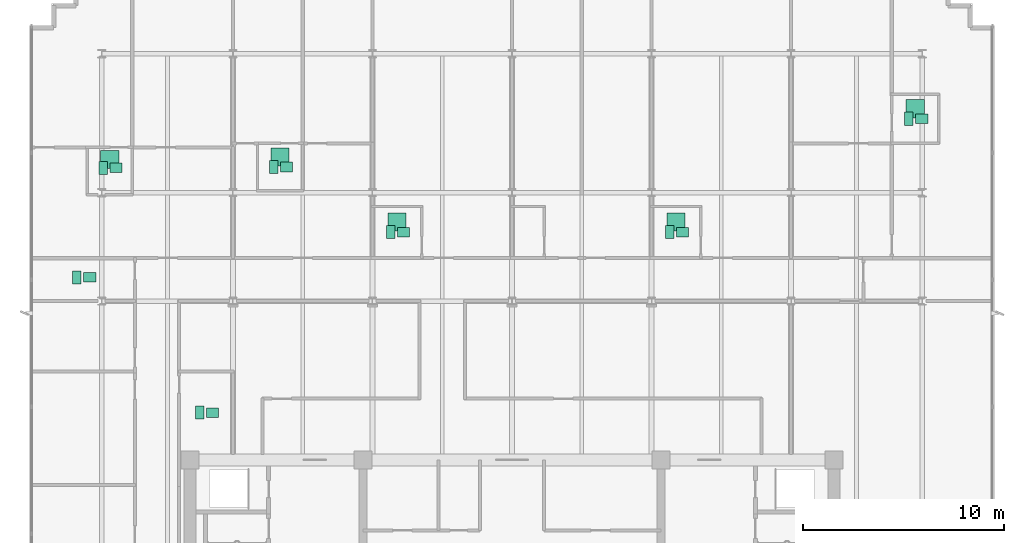
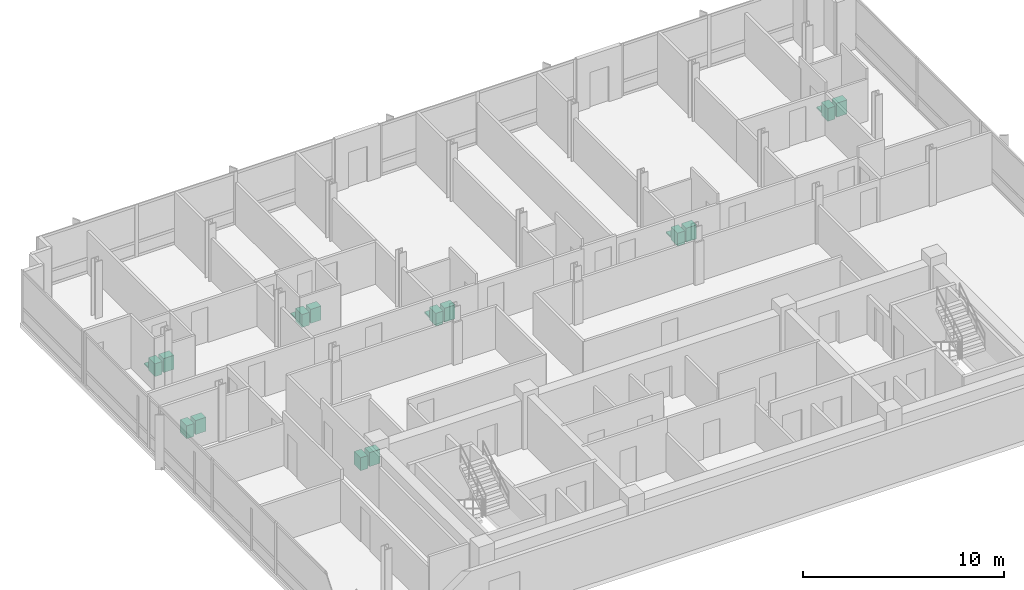
# One storey, part 14 of 14: 19 sanitary terminals.
"""IFC4 building model written with IfcOpenShell, lengths in metres."""

from ifc_helpers import new_model, si_unit, direction, frame, origin, origin_2d, place, context, subcontext, project, spatial, rectangle, extrude, material, type_object, element, save


model = new_model("IFC4")

# Units and contexts
model_context = context("Model", 3, precision=1e-05, world=origin(), true_north=direction((0.0, 1.0)))
body_context = subcontext(model_context, "Body", "Model", "MODEL_VIEW")
ifc_project = project(units=[si_unit("LENGTHUNIT", "METRE"), si_unit("AREAUNIT", "SQUARE_METRE"), si_unit("VOLUMEUNIT", "CUBIC_METRE"), si_unit("PLANEANGLEUNIT", "RADIAN"), si_unit("MASSUNIT", "GRAM", prefix="KILO")], contexts=[model_context])

# Site, building, storey
site_placement = place(None, origin())
site = spatial("IfcSite", under=ifc_project, at=site_placement, CompositionType="ELEMENT")
building_placement = place(site_placement, origin())
building = spatial("IfcBuilding", under=site, at=building_placement, Name="Solmavex Isthmus Hotel", CompositionType="ELEMENT")
storey_placement = place(building_placement, frame((0.0, 0.0, 255.75)))
storey = spatial("IfcBuildingStorey", under=building, at=storey_placement, Name="L69", CompositionType="ELEMENT", Elevation=255.75)

# Sanitary terminals
ifc_material = material(Name="Vitreous china ceramic", Category="ceramic")
sanitary_terminal_type_1 = type_object("IfcSanitaryTerminalType", Name="SAN-BASIN", PredefinedType="WASHHANDBASIN", material=ifc_material)
for number, where, z_axis, x_axis, name in (
    (1, (-19.680908203125, 12.025390625, 0.0), (0.0, 0.0, 1.0), (1.0, 0.0, 0.0), "Vanity Washbasin L69-347"),
    (2, (-11.208984375, 12.06298828125, 0.0), (0.0, 0.0, 1.0), (1.0, 0.0, 0.0), "Vanity Washbasin L69-348"),
    (3, (-5.39111328125, 8.824951171875, 0.0), (0.0, 0.0, 1.0), (1.0, 0.0, 0.0), "Vanity Washbasin L69-349"),
    (4, (8.48095703125, 8.824951171875, 0.0), (0.0, 0.0, 1.0), (1.0, 0.0, 0.0), "Vanity Washbasin L69-350"),
    (5, (20.37109375, 14.462890625, 0.0), (0.0, 0.0, 1.0), (1.0, 0.0, 0.0), "Vanity Washbasin L69-351"),
    (6, (-20.9951171875, 6.577392578125, 0.0), (0.0, 0.0, 1.0), (1.0, 0.0, 0.0), "Vanity Washbasin L69-352"),
    (7, (-14.89111328125, -0.14990234375, 0.0), (0.0, 0.0, 1.0), (1.0, 0.0, 0.0), "Vanity Washbasin L69-353"),
):
    element("IfcSanitaryTerminal", number, at=place(storey_placement, frame(where, z_axis=z_axis, x_axis=x_axis)), inside=storey, type_object=sanitary_terminal_type_1, Name=name, PredefinedType="WASHHANDBASIN", context=body_context, shape_type="SweptSolid", body=[
        extrude(rectangle(XDim=0.60009765625, YDim=0.47998046875, at=origin_2d()), origin(), (0.0, 0.0, 1.0), 0.85009765625),
    ])
sanitary_terminal_type_2 = type_object("IfcSanitaryTerminalType", Name="SAN-SHOWER", PredefinedType="SHOWER", material=ifc_material)
for number, where, z_axis, x_axis, name in (
    (8, (-20.0009765625, 12.443115234375, 0.0), (0.0, 0.0, 1.0), (1.0, 0.0, 0.0), "Walk-In Shower L69-347"),
    (9, (-11.529052734375, 12.56298828125, 0.0), (0.0, 0.0, 1.0), (1.0, 0.0, 0.0), "Walk-In Shower L69-348"),
    (10, (-5.7109375, 9.324951171875, 0.0), (0.0, 0.0, 1.0), (1.0, 0.0, 0.0), "Walk-In Shower L69-349"),
    (11, (8.160888671875, 9.324951171875, 0.0), (0.0, 0.0, 1.0), (1.0, 0.0, 0.0), "Walk-In Shower L69-350"),
    (12, (20.051025390625, 14.962890625, 0.0), (0.0, 0.0, 1.0), (1.0, 0.0, 0.0), "Walk-In Shower L69-351"),
):
    element("IfcSanitaryTerminal", number, at=place(storey_placement, frame(where, z_axis=z_axis, x_axis=x_axis)), inside=storey, type_object=sanitary_terminal_type_2, Name=name, PredefinedType="SHOWER", context=body_context, shape_type="SweptSolid", body=[
        extrude(rectangle(XDim=0.89990234375, YDim=0.89990234375, at=origin_2d()), origin(), (0.0, 0.0, 1.0), 0.080078125),
    ])
sanitary_terminal_type_3 = type_object("IfcSanitaryTerminalType", Name="SAN-WC-SUITE", PredefinedType="TOILETPAN", material=ifc_material)
for number, where, z_axis, x_axis, name in (
    (13, (-20.321044921875, 12.025390625, 0.0), (0.0, 0.0, 1.0), (1.0, 0.0, 0.0), "Water Closet L69-347"),
    (14, (-11.84912109375, 12.06298828125, 0.0), (0.0, 0.0, 1.0), (1.0, 0.0, 0.0), "Water Closet L69-348"),
    (15, (-6.031005859375, 8.824951171875, 0.0), (0.0, 0.0, 1.0), (1.0, 0.0, 0.0), "Water Closet L69-349"),
    (16, (7.841064453125, 8.824951171875, 0.0), (0.0, 0.0, 1.0), (1.0, 0.0, 0.0), "Water Closet L69-350"),
    (17, (19.73095703125, 14.462890625, 0.0), (0.0, 0.0, 1.0), (1.0, 0.0, 0.0), "Water Closet L69-351"),
    (18, (-21.635009765625, 6.577392578125, 0.0), (0.0, 0.0, 1.0), (1.0, 0.0, 0.0), "Water Closet L69-352"),
    (19, (-15.531005859375, -0.14990234375, 0.0), (0.0, 0.0, 1.0), (1.0, 0.0, 0.0), "Water Closet L69-353"),
):
    element("IfcSanitaryTerminal", number, at=place(storey_placement, frame(where, z_axis=z_axis, x_axis=x_axis)), inside=storey, type_object=sanitary_terminal_type_3, Name=name, PredefinedType="TOILETPAN", context=body_context, shape_type="SweptSolid", body=[
        extrude(rectangle(XDim=0.419921875, YDim=0.64990234375, at=origin_2d()), origin(), (0.0, 0.0, 1.0), 0.780029296875),
    ])

save(model, "model.ifc")
